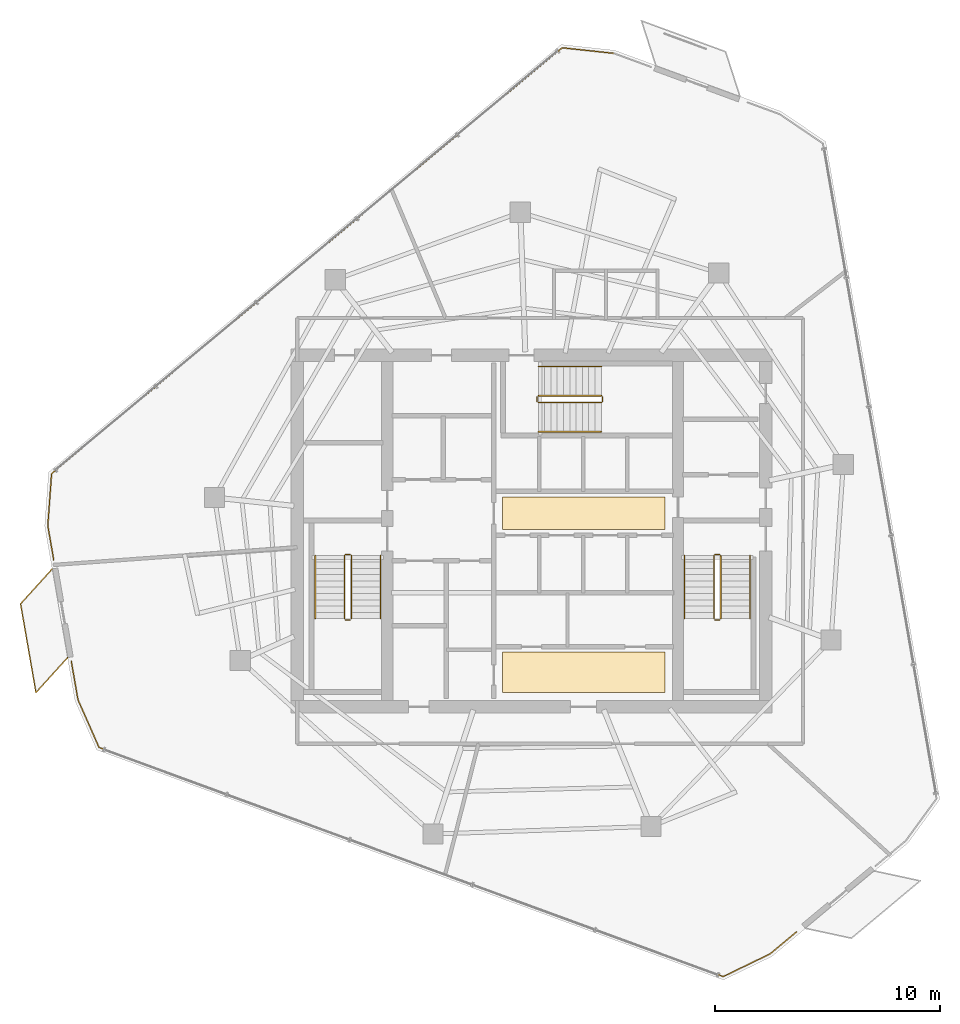
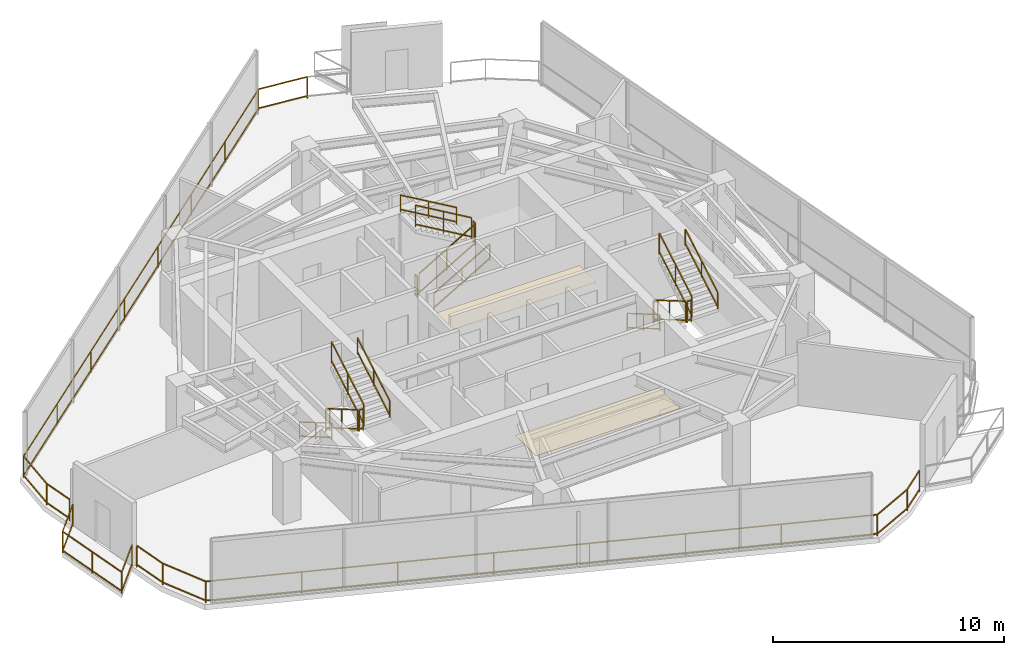
# One storey, part 17 of 18: 21 railings, 2 coverings.
"""IFC4 building model written with IfcOpenShell, lengths in metres."""

from ifc_helpers import new_model, si_unit, direction, frame, origin, origin_2d, place, context, subcontext, project, spatial, rectangle, extrude, material, layer, layer_set, type_object, element, save


model = new_model("IFC4")

# Units and contexts
model_context = context("Model", 3, precision=1e-05, world=origin(), true_north=direction((0.0, 1.0)))
body_context = subcontext(model_context, "Body", "Model", "MODEL_VIEW")
ifc_project = project(units=[si_unit("LENGTHUNIT", "METRE"), si_unit("AREAUNIT", "SQUARE_METRE"), si_unit("VOLUMEUNIT", "CUBIC_METRE"), si_unit("PLANEANGLEUNIT", "RADIAN"), si_unit("MASSUNIT", "GRAM", prefix="KILO")], contexts=[model_context])

# Site, building, storey
site_placement = place(None, origin())
site = spatial("IfcSite", under=ifc_project, at=site_placement, CompositionType="ELEMENT")
building_placement = place(site_placement, origin())
building = spatial("IfcBuilding", under=site, at=building_placement, Name="Qarnah Convention Tower", CompositionType="ELEMENT")
storey_placement = place(building_placement, frame((0.0, 0.0, 216.60009765625)))
storey = spatial("IfcBuildingStorey", under=building, at=storey_placement, Name="L58", CompositionType="ELEMENT", Elevation=216.60009765625)

# Coverings
ifc_material_1 = material(Name="Mineral fibre acoustic ceiling")
ifc_layer_1 = layer(ifc_material_1, 0.02001953125)
ifc_layer_set_1 = layer_set([ifc_layer_1], Name="Mineral fibre acoustic ceiling")
covering_type_1 = type_object("IfcCoveringType", Name="COV-CEIL-20", PredefinedType="CEILING", material=ifc_layer_set_1)
covering_1_placement = place(storey_placement, frame((39.52001953125, 27.179931640625, 2.289794921875), z_axis=(0.0, 0.0, 1.0), x_axis=(1.0, 0.0, 0.0)))
element("IfcCovering", 1, at=covering_1_placement, inside=storey, type_object=covering_type_1, Name="L58 lift lobby acoustic ceiling", PredefinedType="CEILING", context=body_context, shape_type="SweptSolid", body=[
    extrude(rectangle(XDim=7.199951171875, YDim=1.449951171875, at=origin_2d()), origin(), (0.0, 0.0, 1.0), 0.02001953125),
])
ifc_material_2 = material(Name="Porcelain stone floor tile", Category="masonry")
ifc_layer_2 = layer(ifc_material_2, 0.02001953125)
ifc_layer_set_2 = layer_set([ifc_layer_2], Name="Porcelain stone floor tile")
covering_type_2 = type_object("IfcCoveringType", Name="COV-FLOOR-20", PredefinedType="FLOORING", material=ifc_layer_set_2)
covering_2_placement = place(storey_placement, frame((39.52001953125, 20.1201171875, 0.0), z_axis=(0.0, 0.0, 1.0), x_axis=(1.0, 0.0, 0.0)))
element("IfcCovering", 2, at=covering_2_placement, inside=storey, type_object=covering_type_2, Name="L58 lift lobby porcelain stone flooring", PredefinedType="FLOORING", context=body_context, shape_type="SweptSolid", body=[
    extrude(rectangle(XDim=7.199951171875, YDim=1.800048828125, at=origin_2d()), origin(), (0.0, 0.0, 1.0), 0.02001953125),
])

# Railings
ifc_material_3 = material(Name="Black anodised aluminium", Category="aluminium")
railing_type_1 = type_object("IfcRailingType", Name="RL-EXT-GUARD-1150", PredefinedType="GUARDRAIL", material=ifc_material_3)
railing_1_placement = place(storey_placement, frame((48.972900390625, 8.60595703125, 0.0)))
element("IfcRailing", 3, at=railing_1_placement, inside=storey, type_object=railing_type_1, Name="L58 slab-edge perimeter safety guard 03", PredefinedType="GUARDRAIL", context=body_context, shape_type="SweptSolid", body=[
    extrude(rectangle(XDim=0.048095703125, YDim=0.048095703125, at=origin_2d()), frame((0.0, 0.0, 1.1259765625), z_axis=(-0.768129928713, -0.640294004826, 0.0), x_axis=(0.640294004826, -0.768129928713, 0.0)), (0.0, 0.0, 1.0), 1.533447265625),
    extrude(rectangle(XDim=0.048095703125, YDim=0.048095703125, at=origin_2d()), frame((0.0, 0.0, 0.1201171875), z_axis=(-0.768129928713, -0.640294004826, 0.0), x_axis=(0.640294004826, -0.768129928713, 0.0)), (0.0, 0.0, 1.0), 1.533447265625),
    extrude(rectangle(XDim=0.048095703125, YDim=0.048095703125, at=origin_2d()), frame((-1.177978515625, -0.98193359375, 1.1259765625), z_axis=(-0.899968391146, -0.435955152439, 0.0), x_axis=(0.435955152439, -0.899968391146, 0.0)), (0.0, 0.0, 1.0), 2.314453125),
    extrude(rectangle(XDim=0.048095703125, YDim=0.048095703125, at=origin_2d()), frame((-1.177978515625, -0.98193359375, 0.1201171875), z_axis=(-0.899968391146, -0.435955152439, 0.0), x_axis=(0.435955152439, -0.899968391146, 0.0)), (0.0, 0.0, 1.0), 2.314453125),
    extrude(rectangle(XDim=0.048095703125, YDim=0.048095703125, at=origin_2d()), frame((-3.260986328125, -1.990966796875, 1.1259765625), z_axis=(-0.93873633944, 0.344636163243, 0.0), x_axis=(-0.344636163243, -0.93873633944, 0.0)), (0.0, 0.0, 1.0), 29.518310546875),
    extrude(rectangle(XDim=0.048095703125, YDim=0.048095703125, at=origin_2d()), frame((-3.260986328125, -1.990966796875, 0.1201171875), z_axis=(-0.93873633944, 0.344636163243, 0.0), x_axis=(-0.344636163243, -0.93873633944, 0.0)), (0.0, 0.0, 1.0), 29.518310546875),
    extrude(rectangle(XDim=0.048095703125, YDim=0.048095703125, at=origin_2d()), frame((-30.970947265625, 8.18212890625, 1.1259765625), z_axis=(-0.404198755732, 0.914671179094, 0.0), x_axis=(-0.914671179094, -0.404198755732, 0.0)), (0.0, 0.0, 1.0), 2.3134765625),
    extrude(rectangle(XDim=0.048095703125, YDim=0.048095703125, at=origin_2d()), frame((-30.970947265625, 8.18212890625, 0.1201171875), z_axis=(-0.404198755732, 0.914671179094, 0.0), x_axis=(-0.914671179094, -0.404198755732, 0.0)), (0.0, 0.0, 1.0), 2.3134765625),
    extrude(rectangle(XDim=0.048095703125, YDim=0.048095703125, at=origin_2d()), frame((-31.906005859375, 10.298095703125, 1.1259765625), z_axis=(-0.170632833554, 0.985334682285, 0.0), x_axis=(-0.985334682285, -0.170632833554, 0.0)), (0.0, 0.0, 1.0), 1.74560546875),
    extrude(rectangle(XDim=0.048095703125, YDim=0.048095703125, at=origin_2d()), frame((-31.906005859375, 10.298095703125, 0.1201171875), z_axis=(-0.170632833554, 0.985334682285, 0.0), x_axis=(-0.985334682285, -0.170632833554, 0.0)), (0.0, 0.0, 1.0), 1.74560546875),
    extrude(rectangle(XDim=0.0419921875, YDim=0.0419921875, at=origin_2d()), origin(), (0.0, 0.0, 1.0), 1.101806640625),
    extrude(rectangle(XDim=0.0419921875, YDim=0.0419921875, at=origin_2d()), frame((-1.177978515625, -0.98193359375, 0.0)), (0.0, 0.0, 1.0), 1.101806640625),
    extrude(rectangle(XDim=0.0419921875, YDim=0.0419921875, at=origin_2d()), frame((-3.260986328125, -1.990966796875, 0.0)), (0.0, 0.0, 1.0), 1.101806640625),
    extrude(rectangle(XDim=0.0419921875, YDim=0.0419921875, at=origin_2d()), frame((-7.219482421875, -0.53759765625, 0.0)), (0.0, 0.0, 1.0), 1.101806640625),
    extrude(rectangle(XDim=0.0419921875, YDim=0.0419921875, at=origin_2d()), frame((-11.17822265625, 0.91552734375, 0.0)), (0.0, 0.0, 1.0), 1.101806640625),
    extrude(rectangle(XDim=0.0419921875, YDim=0.0419921875, at=origin_2d()), frame((-15.13671875, 2.368896484375, 0.0)), (0.0, 0.0, 1.0), 1.101806640625),
    extrude(rectangle(XDim=0.0419921875, YDim=0.0419921875, at=origin_2d()), frame((-19.09521484375, 3.822265625, 0.0)), (0.0, 0.0, 1.0), 1.101806640625),
    extrude(rectangle(XDim=0.0419921875, YDim=0.0419921875, at=origin_2d()), frame((-23.0537109375, 5.275634765625, 0.0)), (0.0, 0.0, 1.0), 1.101806640625),
    extrude(rectangle(XDim=0.0419921875, YDim=0.0419921875, at=origin_2d()), frame((-27.012451171875, 6.728759765625, 0.0)), (0.0, 0.0, 1.0), 1.101806640625),
    extrude(rectangle(XDim=0.0419921875, YDim=0.0419921875, at=origin_2d()), frame((-30.970947265625, 8.18212890625, 0.0)), (0.0, 0.0, 1.0), 1.101806640625),
    extrude(rectangle(XDim=0.0419921875, YDim=0.0419921875, at=origin_2d()), frame((-31.906005859375, 10.298095703125, 0.0)), (0.0, 0.0, 1.0), 1.101806640625),
    extrude(rectangle(XDim=0.0419921875, YDim=0.0419921875, at=origin_2d()), frame((-32.203857421875, 12.01806640625, 0.0)), (0.0, 0.0, 1.0), 1.101806640625),
])
railing_2_placement = place(storey_placement, frame((15.989990234375, 25.114990234375, 0.0)))
element("IfcRailing", 4, at=railing_2_placement, inside=storey, type_object=railing_type_1, Name="L58 slab-edge perimeter safety guard 04", PredefinedType="GUARDRAIL", context=body_context, shape_type="SweptSolid", body=[
    extrude(rectangle(XDim=0.048095703125, YDim=0.048095703125, at=origin_2d()), frame((0.0, 0.0, 1.1259765625), z_axis=(-0.170716700546, 0.985320155155, 0.0), x_axis=(-0.985320155155, -0.170716700546, 0.0)), (0.0, 0.0, 1.0), 1.534423828125),
    extrude(rectangle(XDim=0.048095703125, YDim=0.048095703125, at=origin_2d()), frame((0.0, 0.0, 0.1201171875), z_axis=(-0.170716700546, 0.985320155155, 0.0), x_axis=(-0.985320155155, -0.170716700546, 0.0)), (0.0, 0.0, 1.0), 1.534423828125),
    extrude(rectangle(XDim=0.048095703125, YDim=0.048095703125, at=origin_2d()), frame((-0.261962890625, 1.511962890625, 1.1259765625), z_axis=(0.072161706669, 0.997392945679, 0.0), x_axis=(-0.997392945679, 0.072161706669, 0.0)), (0.0, 0.0, 1.0), 2.314208984375),
    extrude(rectangle(XDim=0.048095703125, YDim=0.048095703125, at=origin_2d()), frame((-0.261962890625, 1.511962890625, 0.1201171875), z_axis=(0.072161706669, 0.997392945679, 0.0), x_axis=(-0.997392945679, 0.072161706669, 0.0)), (0.0, 0.0, 1.0), 2.314208984375),
    extrude(rectangle(XDim=0.048095703125, YDim=0.048095703125, at=origin_2d()), frame((-0.094970703125, 3.820068359375, 1.1259765625), z_axis=(0.767861852989, 0.640615465567, 0.0), x_axis=(-0.640615465567, 0.767861852989, 0.0)), (0.0, 0.0, 1.0), 29.518310546875),
    extrude(rectangle(XDim=0.048095703125, YDim=0.048095703125, at=origin_2d()), frame((-0.094970703125, 3.820068359375, 0.1201171875), z_axis=(0.767861852989, 0.640615465567, 0.0), x_axis=(-0.640615465567, 0.767861852989, 0.0)), (0.0, 0.0, 1.0), 29.518310546875),
    extrude(rectangle(XDim=0.048095703125, YDim=0.048095703125, at=origin_2d()), frame((22.571044921875, 22.72998046875, 1.1259765625), z_axis=(0.994279970462, -0.106805151269, 0.0), x_axis=(0.106805151269, 0.994279970462, 0.0)), (0.0, 0.0, 1.0), 2.313232421875),
    extrude(rectangle(XDim=0.048095703125, YDim=0.048095703125, at=origin_2d()), frame((22.571044921875, 22.72998046875, 0.1201171875), z_axis=(0.994279970462, -0.106805151269, 0.0), x_axis=(0.106805151269, 0.994279970462, 0.0)), (0.0, 0.0, 1.0), 2.313232421875),
    extrude(rectangle(XDim=0.0419921875, YDim=0.0419921875, at=origin_2d()), origin(), (0.0, 0.0, 1.0), 1.101806640625),
    extrude(rectangle(XDim=0.0419921875, YDim=0.0419921875, at=origin_2d()), frame((-0.261962890625, 1.511962890625, 0.0)), (0.0, 0.0, 1.0), 1.101806640625),
    extrude(rectangle(XDim=0.0419921875, YDim=0.0419921875, at=origin_2d()), frame((-0.094970703125, 3.820068359375, 0.0)), (0.0, 0.0, 1.0), 1.101806640625),
    extrude(rectangle(XDim=0.0419921875, YDim=0.0419921875, at=origin_2d()), frame((3.14306640625, 6.521484375, 0.0)), (0.0, 0.0, 1.0), 1.101806640625),
    extrude(rectangle(XDim=0.0419921875, YDim=0.0419921875, at=origin_2d()), frame((6.381103515625, 9.222900390625, 0.0)), (0.0, 0.0, 1.0), 1.101806640625),
    extrude(rectangle(XDim=0.0419921875, YDim=0.0419921875, at=origin_2d()), frame((9.619140625, 11.92431640625, 0.0)), (0.0, 0.0, 1.0), 1.101806640625),
    extrude(rectangle(XDim=0.0419921875, YDim=0.0419921875, at=origin_2d()), frame((12.85693359375, 14.625732421875, 0.0)), (0.0, 0.0, 1.0), 1.101806640625),
    extrude(rectangle(XDim=0.0419921875, YDim=0.0419921875, at=origin_2d()), frame((16.094970703125, 17.3271484375, 0.0)), (0.0, 0.0, 1.0), 1.101806640625),
    extrude(rectangle(XDim=0.0419921875, YDim=0.0419921875, at=origin_2d()), frame((19.3330078125, 20.028564453125, 0.0)), (0.0, 0.0, 1.0), 1.101806640625),
    extrude(rectangle(XDim=0.0419921875, YDim=0.0419921875, at=origin_2d()), frame((22.571044921875, 22.72998046875, 0.0)), (0.0, 0.0, 1.0), 1.101806640625),
    extrude(rectangle(XDim=0.0419921875, YDim=0.0419921875, at=origin_2d()), frame((24.87109375, 22.48291015625, 0.0)), (0.0, 0.0, 1.0), 1.101806640625),
])
railing_3_placement = place(storey_placement, frame((16.60595703125, 20.77197265625, 0.0)))
element("IfcRailing", 5, at=railing_3_placement, inside=storey, type_object=railing_type_1, Name="L58 balcony safety guard BAL-L58-C2", PredefinedType="GUARDRAIL", context=body_context, shape_type="SweptSolid", body=[
    extrude(rectangle(XDim=0.048095703125, YDim=0.048095703125, at=origin_2d()), frame((0.0, 0.0, 1.1259765625), z_axis=(-0.671133151728, -0.741336828069, 0.0), x_axis=(0.741336828069, -0.671133151728, 0.0)), (0.0, 0.0, 1.0), 2.093505859375),
    extrude(rectangle(XDim=0.048095703125, YDim=0.048095703125, at=origin_2d()), frame((0.0, 0.0, 0.1201171875), z_axis=(-0.671133151728, -0.741336828069, 0.0), x_axis=(0.741336828069, -0.671133151728, 0.0)), (0.0, 0.0, 1.0), 2.093505859375),
    extrude(rectangle(XDim=0.048095703125, YDim=0.048095703125, at=origin_2d()), frame((-1.405029296875, -1.552001953125, 1.1259765625), z_axis=(-0.170967654204, 0.985276641972, 0.0), x_axis=(-0.985276641972, -0.170967654204, 0.0)), (0.0, 0.0, 1.0), 3.999755859375),
    extrude(rectangle(XDim=0.048095703125, YDim=0.048095703125, at=origin_2d()), frame((-1.405029296875, -1.552001953125, 0.1201171875), z_axis=(-0.170967654204, 0.985276641972, 0.0), x_axis=(-0.985276641972, -0.170967654204, 0.0)), (0.0, 0.0, 1.0), 3.999755859375),
    extrude(rectangle(XDim=0.048095703125, YDim=0.048095703125, at=origin_2d()), frame((-2.0888671875, 2.388916015625, 1.1259765625), z_axis=(0.671389393882, 0.741104771124, 0.0), x_axis=(-0.741104771124, 0.671389393882, 0.0)), (0.0, 0.0, 1.0), 2.09423828125),
    extrude(rectangle(XDim=0.048095703125, YDim=0.048095703125, at=origin_2d()), frame((-2.0888671875, 2.388916015625, 0.1201171875), z_axis=(0.671389393882, 0.741104771124, 0.0), x_axis=(-0.741104771124, 0.671389393882, 0.0)), (0.0, 0.0, 1.0), 2.09423828125),
    extrude(rectangle(XDim=0.0419921875, YDim=0.0419921875, at=origin_2d()), origin(), (0.0, 0.0, 1.0), 1.101806640625),
    extrude(rectangle(XDim=0.0419921875, YDim=0.0419921875, at=origin_2d()), frame((-1.405029296875, -1.552001953125, 0.0)), (0.0, 0.0, 1.0), 1.101806640625),
    extrude(rectangle(XDim=0.0419921875, YDim=0.0419921875, at=origin_2d()), frame((-1.7470703125, 0.41845703125, 0.0)), (0.0, 0.0, 1.0), 1.101806640625),
    extrude(rectangle(XDim=0.0419921875, YDim=0.0419921875, at=origin_2d()), frame((-2.0888671875, 2.388916015625, 0.0)), (0.0, 0.0, 1.0), 1.101806640625),
    extrude(rectangle(XDim=0.0419921875, YDim=0.0419921875, at=origin_2d()), frame((-0.682861328125, 3.94091796875, 0.0)), (0.0, 0.0, 1.0), 1.101806640625),
])
ifc_material_4 = material(Name="Structural steel S355JR", Category="steel")
railing_type_2 = type_object("IfcRailingType", Name="RL-STAIR-GUARD-1150", PredefinedType="GUARDRAIL", material=ifc_material_4)
railing_4_placement = place(storey_placement, frame((28.89990234375, 25.300048828125, 0.16357421875)))
element("IfcRailing", 6, at=railing_4_placement, inside=storey, type_object=railing_type_2, Name="L58 ST-1 stair guard 1", PredefinedType="GUARDRAIL", context=body_context, shape_type="SweptSolid", body=[
    extrude(rectangle(XDim=0.048095703125, YDim=0.048095703125, at=origin_2d()), frame((0.0, 0.0, 1.1259765625), z_axis=(0.0, -0.863393664356, 0.504530851732), x_axis=(1.0, 0.0, 0.0)), (0.0, 0.0, 1.0), 3.2431640625),
    extrude(rectangle(XDim=0.048095703125, YDim=0.048095703125, at=origin_2d()), frame((0.0, 0.0, 0.1201171875), z_axis=(0.0, -0.863393664356, 0.504530851732), x_axis=(1.0, 0.0, 0.0)), (0.0, 0.0, 1.0), 3.2431640625),
    extrude(rectangle(XDim=0.0419921875, YDim=0.0419921875, at=origin_2d()), origin(), (0.0, 0.0, 1.0), 1.101806640625),
    extrude(rectangle(XDim=0.0419921875, YDim=0.0419921875, at=origin_2d()), frame((0.0, -1.39990234375, 0.818115234375)), (0.0, 0.0, 1.0), 1.101806640625),
    extrude(rectangle(XDim=0.0419921875, YDim=0.0419921875, at=origin_2d()), frame((0.0, -2.800048828125, 1.63623046875)), (0.0, 0.0, 1.0), 1.101806640625),
])
railing_5_placement = place(storey_placement, frame((28.949951171875, 22.449951171875, 1.7998046875)))
element("IfcRailing", 7, at=railing_5_placement, inside=storey, type_object=railing_type_2, Name="L58 ST-1 stair guard 2", PredefinedType="GUARDRAIL", context=body_context, shape_type="SweptSolid", body=[
    extrude(rectangle(XDim=0.048095703125, YDim=0.048095703125, at=origin_2d()), frame((0.0, 0.0, 1.1259765625), z_axis=(1.0, 0.0, 0.0), x_axis=(0.0, 1.0, 0.0)), (0.0, 0.0, 1.0), 0.199951171875),
    extrude(rectangle(XDim=0.048095703125, YDim=0.048095703125, at=origin_2d()), frame((0.0, 0.0, 0.1201171875), z_axis=(1.0, 0.0, 0.0), x_axis=(0.0, 1.0, 0.0)), (0.0, 0.0, 1.0), 0.199951171875),
    extrude(rectangle(XDim=0.0419921875, YDim=0.0419921875, at=origin_2d()), origin(), (0.0, 0.0, 1.0), 1.101806640625),
    extrude(rectangle(XDim=0.0419921875, YDim=0.0419921875, at=origin_2d()), frame((0.199951171875, 0.0, 0.0)), (0.0, 0.0, 1.0), 1.101806640625),
])
railing_6_placement = place(storey_placement, frame((29.199951171875, 22.5, 1.963623046875)))
element("IfcRailing", 8, at=railing_6_placement, inside=storey, type_object=railing_type_2, Name="L58 ST-1 stair guard 3", PredefinedType="GUARDRAIL", context=body_context, shape_type="SweptSolid", body=[
    extrude(rectangle(XDim=0.048095703125, YDim=0.048095703125, at=origin_2d()), frame((0.0, 0.0, 1.1259765625), z_axis=(0.0, 0.863393664356, 0.504530851732), x_axis=(-1.0, 0.0, 0.0)), (0.0, 0.0, 1.0), 3.2431640625),
    extrude(rectangle(XDim=0.048095703125, YDim=0.048095703125, at=origin_2d()), frame((0.0, 0.0, 0.1201171875), z_axis=(0.0, 0.863393664356, 0.504530851732), x_axis=(-1.0, 0.0, 0.0)), (0.0, 0.0, 1.0), 3.2431640625),
    extrude(rectangle(XDim=0.0419921875, YDim=0.0419921875, at=origin_2d()), origin(), (0.0, 0.0, 1.0), 1.101806640625),
    extrude(rectangle(XDim=0.0419921875, YDim=0.0419921875, at=origin_2d()), frame((0.0, 1.39990234375, 0.818115234375)), (0.0, 0.0, 1.0), 1.101806640625),
    extrude(rectangle(XDim=0.0419921875, YDim=0.0419921875, at=origin_2d()), frame((0.0, 2.800048828125, 1.63623046875)), (0.0, 0.0, 1.0), 1.101806640625),
])
railing_7_placement = place(storey_placement, frame((28.949951171875, 25.35009765625, 0.0)))
element("IfcRailing", 9, at=railing_7_placement, inside=storey, type_object=railing_type_2, Name="L58 ST-1 stair guard 4", PredefinedType="GUARDRAIL", context=body_context, shape_type="SweptSolid", body=[
    extrude(rectangle(XDim=0.048095703125, YDim=0.048095703125, at=origin_2d()), frame((0.0, 0.0, 1.1259765625), z_axis=(1.0, 0.0, 0.0), x_axis=(0.0, 1.0, 0.0)), (0.0, 0.0, 1.0), 0.199951171875),
    extrude(rectangle(XDim=0.048095703125, YDim=0.048095703125, at=origin_2d()), frame((0.0, 0.0, 0.1201171875), z_axis=(1.0, 0.0, 0.0), x_axis=(0.0, 1.0, 0.0)), (0.0, 0.0, 1.0), 0.199951171875),
    extrude(rectangle(XDim=0.0419921875, YDim=0.0419921875, at=origin_2d()), origin(), (0.0, 0.0, 1.0), 1.101806640625),
    extrude(rectangle(XDim=0.0419921875, YDim=0.0419921875, at=origin_2d()), frame((0.199951171875, 0.0, 0.0)), (0.0, 0.0, 1.0), 1.101806640625),
])
railing_8_placement = place(storey_placement, frame((45.300048828125, 25.300048828125, 0.16357421875)))
element("IfcRailing", 10, at=railing_8_placement, inside=storey, type_object=railing_type_2, Name="L58 ST-2 stair guard 1", PredefinedType="GUARDRAIL", context=body_context, shape_type="SweptSolid", body=[
    extrude(rectangle(XDim=0.048095703125, YDim=0.048095703125, at=origin_2d()), frame((0.0, 0.0, 1.1259765625), z_axis=(0.0, -0.863393664356, 0.504530851732), x_axis=(1.0, 0.0, 0.0)), (0.0, 0.0, 1.0), 3.2431640625),
    extrude(rectangle(XDim=0.048095703125, YDim=0.048095703125, at=origin_2d()), frame((0.0, 0.0, 0.1201171875), z_axis=(0.0, -0.863393664356, 0.504530851732), x_axis=(1.0, 0.0, 0.0)), (0.0, 0.0, 1.0), 3.2431640625),
    extrude(rectangle(XDim=0.0419921875, YDim=0.0419921875, at=origin_2d()), origin(), (0.0, 0.0, 1.0), 1.101806640625),
    extrude(rectangle(XDim=0.0419921875, YDim=0.0419921875, at=origin_2d()), frame((0.0, -1.39990234375, 0.818115234375)), (0.0, 0.0, 1.0), 1.101806640625),
    extrude(rectangle(XDim=0.0419921875, YDim=0.0419921875, at=origin_2d()), frame((0.0, -2.800048828125, 1.63623046875)), (0.0, 0.0, 1.0), 1.101806640625),
])
railing_9_placement = place(storey_placement, frame((45.35009765625, 22.449951171875, 1.7998046875)))
element("IfcRailing", 11, at=railing_9_placement, inside=storey, type_object=railing_type_2, Name="L58 ST-2 stair guard 2", PredefinedType="GUARDRAIL", context=body_context, shape_type="SweptSolid", body=[
    extrude(rectangle(XDim=0.048095703125, YDim=0.048095703125, at=origin_2d()), frame((0.0, 0.0, 1.1259765625), z_axis=(1.0, 0.0, 0.0), x_axis=(0.0, 1.0, 0.0)), (0.0, 0.0, 1.0), 0.199951171875),
    extrude(rectangle(XDim=0.048095703125, YDim=0.048095703125, at=origin_2d()), frame((0.0, 0.0, 0.1201171875), z_axis=(1.0, 0.0, 0.0), x_axis=(0.0, 1.0, 0.0)), (0.0, 0.0, 1.0), 0.199951171875),
    extrude(rectangle(XDim=0.0419921875, YDim=0.0419921875, at=origin_2d()), origin(), (0.0, 0.0, 1.0), 1.101806640625),
    extrude(rectangle(XDim=0.0419921875, YDim=0.0419921875, at=origin_2d()), frame((0.199951171875, 0.0, 0.0)), (0.0, 0.0, 1.0), 1.101806640625),
])
railing_10_placement = place(storey_placement, frame((45.60009765625, 22.5, 1.963623046875)))
element("IfcRailing", 12, at=railing_10_placement, inside=storey, type_object=railing_type_2, Name="L58 ST-2 stair guard 3", PredefinedType="GUARDRAIL", context=body_context, shape_type="SweptSolid", body=[
    extrude(rectangle(XDim=0.048095703125, YDim=0.048095703125, at=origin_2d()), frame((0.0, 0.0, 1.1259765625), z_axis=(0.0, 0.863393664356, 0.504530851732), x_axis=(-1.0, 0.0, 0.0)), (0.0, 0.0, 1.0), 3.2431640625),
    extrude(rectangle(XDim=0.048095703125, YDim=0.048095703125, at=origin_2d()), frame((0.0, 0.0, 0.1201171875), z_axis=(0.0, 0.863393664356, 0.504530851732), x_axis=(-1.0, 0.0, 0.0)), (0.0, 0.0, 1.0), 3.2431640625),
    extrude(rectangle(XDim=0.0419921875, YDim=0.0419921875, at=origin_2d()), origin(), (0.0, 0.0, 1.0), 1.101806640625),
    extrude(rectangle(XDim=0.0419921875, YDim=0.0419921875, at=origin_2d()), frame((0.0, 1.39990234375, 0.818115234375)), (0.0, 0.0, 1.0), 1.101806640625),
    extrude(rectangle(XDim=0.0419921875, YDim=0.0419921875, at=origin_2d()), frame((0.0, 2.800048828125, 1.63623046875)), (0.0, 0.0, 1.0), 1.101806640625),
])
railing_11_placement = place(storey_placement, frame((45.35009765625, 25.35009765625, 0.0)))
element("IfcRailing", 13, at=railing_11_placement, inside=storey, type_object=railing_type_2, Name="L58 ST-2 stair guard 4", PredefinedType="GUARDRAIL", context=body_context, shape_type="SweptSolid", body=[
    extrude(rectangle(XDim=0.048095703125, YDim=0.048095703125, at=origin_2d()), frame((0.0, 0.0, 1.1259765625), z_axis=(1.0, 0.0, 0.0), x_axis=(0.0, 1.0, 0.0)), (0.0, 0.0, 1.0), 0.199951171875),
    extrude(rectangle(XDim=0.048095703125, YDim=0.048095703125, at=origin_2d()), frame((0.0, 0.0, 0.1201171875), z_axis=(1.0, 0.0, 0.0), x_axis=(0.0, 1.0, 0.0)), (0.0, 0.0, 1.0), 0.199951171875),
    extrude(rectangle(XDim=0.0419921875, YDim=0.0419921875, at=origin_2d()), origin(), (0.0, 0.0, 1.0), 1.101806640625),
    extrude(rectangle(XDim=0.0419921875, YDim=0.0419921875, at=origin_2d()), frame((0.199951171875, 0.0, 0.0)), (0.0, 0.0, 1.0), 1.101806640625),
])
railing_12_placement = place(storey_placement, frame((37.5, 32.10009765625, 0.16357421875)))
element("IfcRailing", 14, at=railing_12_placement, inside=storey, type_object=railing_type_2, Name="L58 ST-3 stair guard 1", PredefinedType="GUARDRAIL", context=body_context, shape_type="SweptSolid", body=[
    extrude(rectangle(XDim=0.048095703125, YDim=0.048095703125, at=origin_2d()), frame((0.0, 0.0, 1.1259765625), z_axis=(0.863393664356, 0.0, 0.504530851732), x_axis=(0.0, 1.0, 0.0)), (0.0, 0.0, 1.0), 3.2431640625),
    extrude(rectangle(XDim=0.048095703125, YDim=0.048095703125, at=origin_2d()), frame((0.0, 0.0, 0.1201171875), z_axis=(0.863393664356, 0.0, 0.504530851732), x_axis=(0.0, 1.0, 0.0)), (0.0, 0.0, 1.0), 3.2431640625),
    extrude(rectangle(XDim=0.0419921875, YDim=0.0419921875, at=origin_2d()), origin(), (0.0, 0.0, 1.0), 1.101806640625),
    extrude(rectangle(XDim=0.0419921875, YDim=0.0419921875, at=origin_2d()), frame((1.39990234375, 0.0, 0.818115234375)), (0.0, 0.0, 1.0), 1.101806640625),
    extrude(rectangle(XDim=0.0419921875, YDim=0.0419921875, at=origin_2d()), frame((2.800048828125, 0.0, 1.63623046875)), (0.0, 0.0, 1.0), 1.101806640625),
])
railing_13_placement = place(storey_placement, frame((40.35009765625, 32.14990234375, 1.7998046875)))
element("IfcRailing", 15, at=railing_13_placement, inside=storey, type_object=railing_type_2, Name="L58 ST-3 stair guard 2", PredefinedType="GUARDRAIL", context=body_context, shape_type="SweptSolid", body=[
    extrude(rectangle(XDim=0.048095703125, YDim=0.048095703125, at=origin_2d()), frame((0.0, 0.0, 1.1259765625), z_axis=(0.0, 1.0, 0.0), x_axis=(-1.0, 0.0, 0.0)), (0.0, 0.0, 1.0), 0.2001953125),
    extrude(rectangle(XDim=0.048095703125, YDim=0.048095703125, at=origin_2d()), frame((0.0, 0.0, 0.1201171875), z_axis=(0.0, 1.0, 0.0), x_axis=(-1.0, 0.0, 0.0)), (0.0, 0.0, 1.0), 0.2001953125),
    extrude(rectangle(XDim=0.0419921875, YDim=0.0419921875, at=origin_2d()), origin(), (0.0, 0.0, 1.0), 1.101806640625),
    extrude(rectangle(XDim=0.0419921875, YDim=0.0419921875, at=origin_2d()), frame((0.0, 0.2001953125, 0.0)), (0.0, 0.0, 1.0), 1.101806640625),
])
railing_14_placement = place(storey_placement, frame((40.300048828125, 32.39990234375, 1.963623046875)))
element("IfcRailing", 16, at=railing_14_placement, inside=storey, type_object=railing_type_2, Name="L58 ST-3 stair guard 3", PredefinedType="GUARDRAIL", context=body_context, shape_type="SweptSolid", body=[
    extrude(rectangle(XDim=0.048095703125, YDim=0.048095703125, at=origin_2d()), frame((0.0, 0.0, 1.1259765625), z_axis=(-0.863393664356, 0.0, 0.504530851732), x_axis=(0.0, -1.0, 0.0)), (0.0, 0.0, 1.0), 3.2431640625),
    extrude(rectangle(XDim=0.048095703125, YDim=0.048095703125, at=origin_2d()), frame((0.0, 0.0, 0.1201171875), z_axis=(-0.863393664356, 0.0, 0.504530851732), x_axis=(0.0, -1.0, 0.0)), (0.0, 0.0, 1.0), 3.2431640625),
    extrude(rectangle(XDim=0.0419921875, YDim=0.0419921875, at=origin_2d()), origin(), (0.0, 0.0, 1.0), 1.101806640625),
    extrude(rectangle(XDim=0.0419921875, YDim=0.0419921875, at=origin_2d()), frame((-1.39990234375, 0.0, 0.818115234375)), (0.0, 0.0, 1.0), 1.101806640625),
    extrude(rectangle(XDim=0.0419921875, YDim=0.0419921875, at=origin_2d()), frame((-2.800048828125, 0.0, 1.63623046875)), (0.0, 0.0, 1.0), 1.101806640625),
])
railing_15_placement = place(storey_placement, frame((37.449951171875, 32.14990234375, 0.0)))
element("IfcRailing", 17, at=railing_15_placement, inside=storey, type_object=railing_type_2, Name="L58 ST-3 stair guard 4", PredefinedType="GUARDRAIL", context=body_context, shape_type="SweptSolid", body=[
    extrude(rectangle(XDim=0.048095703125, YDim=0.048095703125, at=origin_2d()), frame((0.0, 0.0, 1.1259765625), z_axis=(0.0, 1.0, 0.0), x_axis=(-1.0, 0.0, 0.0)), (0.0, 0.0, 1.0), 0.2001953125),
    extrude(rectangle(XDim=0.048095703125, YDim=0.048095703125, at=origin_2d()), frame((0.0, 0.0, 0.1201171875), z_axis=(0.0, 1.0, 0.0), x_axis=(-1.0, 0.0, 0.0)), (0.0, 0.0, 1.0), 0.2001953125),
    extrude(rectangle(XDim=0.0419921875, YDim=0.0419921875, at=origin_2d()), origin(), (0.0, 0.0, 1.0), 1.101806640625),
    extrude(rectangle(XDim=0.0419921875, YDim=0.0419921875, at=origin_2d()), frame((0.0, 0.2001953125, 0.0)), (0.0, 0.0, 1.0), 1.101806640625),
])
railing_type_3 = type_object("IfcRailingType", Name="RL-STAIR-HAND-900", PredefinedType="HANDRAIL", material=ifc_material_4)
railing_16_placement = place(storey_placement, frame((27.60009765625, 25.300048828125, 0.16357421875)))
element("IfcRailing", 18, at=railing_16_placement, inside=storey, type_object=railing_type_3, Name="L58 ST-1 stair handrail 1", PredefinedType="HANDRAIL", context=body_context, shape_type="SweptSolid", body=[
    extrude(rectangle(XDim=0.048095703125, YDim=0.048095703125, at=origin_2d()), frame((0.0, 0.0, 0.8759765625), z_axis=(0.0, -0.863393664356, 0.504530851732), x_axis=(1.0, 0.0, 0.0)), (0.0, 0.0, 1.0), 3.2431640625),
    extrude(rectangle(XDim=0.048095703125, YDim=0.048095703125, at=origin_2d()), frame((0.0, 0.0, 0.1201171875), z_axis=(0.0, -0.863393664356, 0.504530851732), x_axis=(1.0, 0.0, 0.0)), (0.0, 0.0, 1.0), 3.2431640625),
    extrude(rectangle(XDim=0.0419921875, YDim=0.0419921875, at=origin_2d()), origin(), (0.0, 0.0, 1.0), 0.851806640625),
    extrude(rectangle(XDim=0.0419921875, YDim=0.0419921875, at=origin_2d()), frame((0.0, -1.39990234375, 0.818115234375)), (0.0, 0.0, 1.0), 0.851806640625),
    extrude(rectangle(XDim=0.0419921875, YDim=0.0419921875, at=origin_2d()), frame((0.0, -2.800048828125, 1.63623046875)), (0.0, 0.0, 1.0), 0.851806640625),
])
railing_17_placement = place(storey_placement, frame((30.5, 22.5, 1.963623046875)))
element("IfcRailing", 19, at=railing_17_placement, inside=storey, type_object=railing_type_3, Name="L58 ST-1 stair handrail 2", PredefinedType="HANDRAIL", context=body_context, shape_type="SweptSolid", body=[
    extrude(rectangle(XDim=0.048095703125, YDim=0.048095703125, at=origin_2d()), frame((0.0, 0.0, 0.8759765625), z_axis=(0.0, 0.863393664356, 0.504530851732), x_axis=(-1.0, 0.0, 0.0)), (0.0, 0.0, 1.0), 3.2431640625),
    extrude(rectangle(XDim=0.048095703125, YDim=0.048095703125, at=origin_2d()), frame((0.0, 0.0, 0.1201171875), z_axis=(0.0, 0.863393664356, 0.504530851732), x_axis=(-1.0, 0.0, 0.0)), (0.0, 0.0, 1.0), 3.2431640625),
    extrude(rectangle(XDim=0.0419921875, YDim=0.0419921875, at=origin_2d()), origin(), (0.0, 0.0, 1.0), 0.851806640625),
    extrude(rectangle(XDim=0.0419921875, YDim=0.0419921875, at=origin_2d()), frame((0.0, 1.39990234375, 0.818115234375)), (0.0, 0.0, 1.0), 0.851806640625),
    extrude(rectangle(XDim=0.0419921875, YDim=0.0419921875, at=origin_2d()), frame((0.0, 2.800048828125, 1.63623046875)), (0.0, 0.0, 1.0), 0.851806640625),
])
railing_18_placement = place(storey_placement, frame((44.0, 25.300048828125, 0.16357421875)))
element("IfcRailing", 20, at=railing_18_placement, inside=storey, type_object=railing_type_3, Name="L58 ST-2 stair handrail 1", PredefinedType="HANDRAIL", context=body_context, shape_type="SweptSolid", body=[
    extrude(rectangle(XDim=0.048095703125, YDim=0.048095703125, at=origin_2d()), frame((0.0, 0.0, 0.8759765625), z_axis=(0.0, -0.863393664356, 0.504530851732), x_axis=(1.0, 0.0, 0.0)), (0.0, 0.0, 1.0), 3.2431640625),
    extrude(rectangle(XDim=0.048095703125, YDim=0.048095703125, at=origin_2d()), frame((0.0, 0.0, 0.1201171875), z_axis=(0.0, -0.863393664356, 0.504530851732), x_axis=(1.0, 0.0, 0.0)), (0.0, 0.0, 1.0), 3.2431640625),
    extrude(rectangle(XDim=0.0419921875, YDim=0.0419921875, at=origin_2d()), origin(), (0.0, 0.0, 1.0), 0.851806640625),
    extrude(rectangle(XDim=0.0419921875, YDim=0.0419921875, at=origin_2d()), frame((0.0, -1.39990234375, 0.818115234375)), (0.0, 0.0, 1.0), 0.851806640625),
    extrude(rectangle(XDim=0.0419921875, YDim=0.0419921875, at=origin_2d()), frame((0.0, -2.800048828125, 1.63623046875)), (0.0, 0.0, 1.0), 0.851806640625),
])
railing_19_placement = place(storey_placement, frame((46.89990234375, 22.5, 1.963623046875)))
element("IfcRailing", 21, at=railing_19_placement, inside=storey, type_object=railing_type_3, Name="L58 ST-2 stair handrail 2", PredefinedType="HANDRAIL", context=body_context, shape_type="SweptSolid", body=[
    extrude(rectangle(XDim=0.048095703125, YDim=0.048095703125, at=origin_2d()), frame((0.0, 0.0, 0.8759765625), z_axis=(0.0, 0.863393664356, 0.504530851732), x_axis=(-1.0, 0.0, 0.0)), (0.0, 0.0, 1.0), 3.2431640625),
    extrude(rectangle(XDim=0.048095703125, YDim=0.048095703125, at=origin_2d()), frame((0.0, 0.0, 0.1201171875), z_axis=(0.0, 0.863393664356, 0.504530851732), x_axis=(-1.0, 0.0, 0.0)), (0.0, 0.0, 1.0), 3.2431640625),
    extrude(rectangle(XDim=0.0419921875, YDim=0.0419921875, at=origin_2d()), origin(), (0.0, 0.0, 1.0), 0.851806640625),
    extrude(rectangle(XDim=0.0419921875, YDim=0.0419921875, at=origin_2d()), frame((0.0, 1.39990234375, 0.818115234375)), (0.0, 0.0, 1.0), 0.851806640625),
    extrude(rectangle(XDim=0.0419921875, YDim=0.0419921875, at=origin_2d()), frame((0.0, 2.800048828125, 1.63623046875)), (0.0, 0.0, 1.0), 0.851806640625),
])
railing_20_placement = place(storey_placement, frame((37.5, 30.800048828125, 0.16357421875)))
element("IfcRailing", 22, at=railing_20_placement, inside=storey, type_object=railing_type_3, Name="L58 ST-3 stair handrail 1", PredefinedType="HANDRAIL", context=body_context, shape_type="SweptSolid", body=[
    extrude(rectangle(XDim=0.048095703125, YDim=0.048095703125, at=origin_2d()), frame((0.0, 0.0, 0.8759765625), z_axis=(0.863393664356, 0.0, 0.504530851732), x_axis=(0.0, 1.0, 0.0)), (0.0, 0.0, 1.0), 3.2431640625),
    extrude(rectangle(XDim=0.048095703125, YDim=0.048095703125, at=origin_2d()), frame((0.0, 0.0, 0.1201171875), z_axis=(0.863393664356, 0.0, 0.504530851732), x_axis=(0.0, 1.0, 0.0)), (0.0, 0.0, 1.0), 3.2431640625),
    extrude(rectangle(XDim=0.0419921875, YDim=0.0419921875, at=origin_2d()), origin(), (0.0, 0.0, 1.0), 0.851806640625),
    extrude(rectangle(XDim=0.0419921875, YDim=0.0419921875, at=origin_2d()), frame((1.39990234375, 0.0, 0.818115234375)), (0.0, 0.0, 1.0), 0.851806640625),
    extrude(rectangle(XDim=0.0419921875, YDim=0.0419921875, at=origin_2d()), frame((2.800048828125, 0.0, 1.63623046875)), (0.0, 0.0, 1.0), 0.851806640625),
])
railing_21_placement = place(storey_placement, frame((40.300048828125, 33.699951171875, 1.963623046875)))
element("IfcRailing", 23, at=railing_21_placement, inside=storey, type_object=railing_type_3, Name="L58 ST-3 stair handrail 2", PredefinedType="HANDRAIL", context=body_context, shape_type="SweptSolid", body=[
    extrude(rectangle(XDim=0.048095703125, YDim=0.048095703125, at=origin_2d()), frame((0.0, 0.0, 0.8759765625), z_axis=(-0.863393664356, 0.0, 0.504530851732), x_axis=(0.0, -1.0, 0.0)), (0.0, 0.0, 1.0), 3.2431640625),
    extrude(rectangle(XDim=0.048095703125, YDim=0.048095703125, at=origin_2d()), frame((0.0, 0.0, 0.1201171875), z_axis=(-0.863393664356, 0.0, 0.504530851732), x_axis=(0.0, -1.0, 0.0)), (0.0, 0.0, 1.0), 3.2431640625),
    extrude(rectangle(XDim=0.0419921875, YDim=0.0419921875, at=origin_2d()), origin(), (0.0, 0.0, 1.0), 0.851806640625),
    extrude(rectangle(XDim=0.0419921875, YDim=0.0419921875, at=origin_2d()), frame((-1.39990234375, 0.0, 0.818115234375)), (0.0, 0.0, 1.0), 0.851806640625),
    extrude(rectangle(XDim=0.0419921875, YDim=0.0419921875, at=origin_2d()), frame((-2.800048828125, 0.0, 1.63623046875)), (0.0, 0.0, 1.0), 0.851806640625),
])

save(model, "model.ifc")
